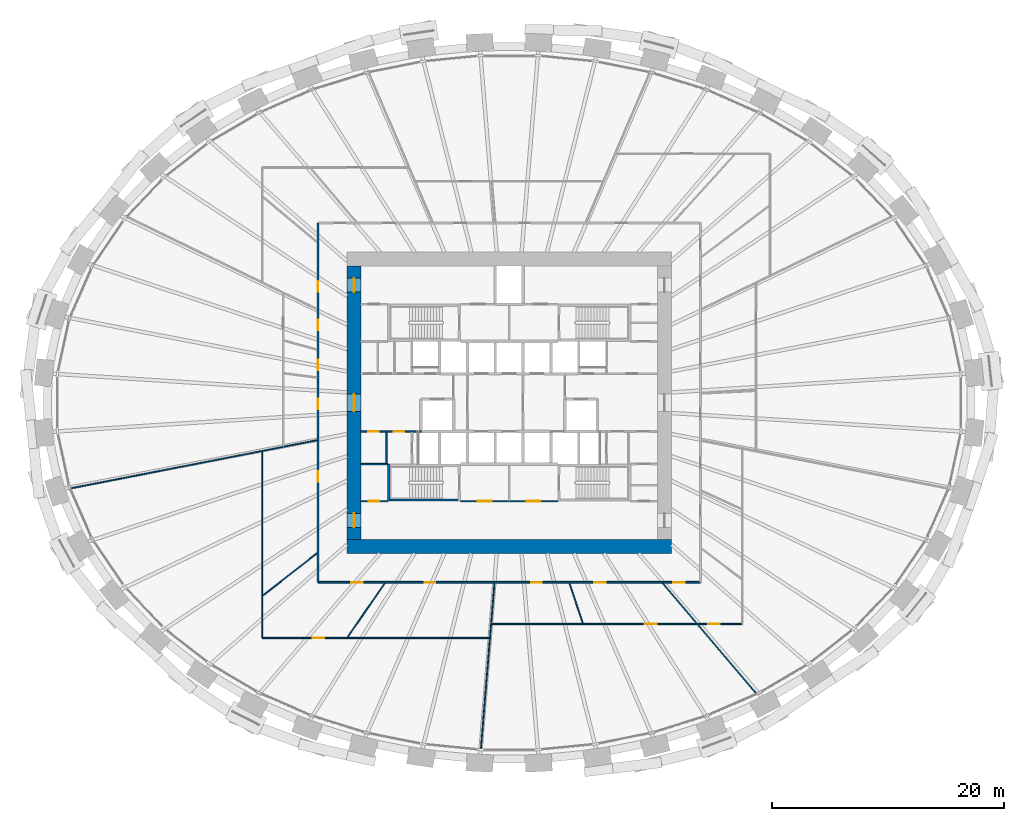
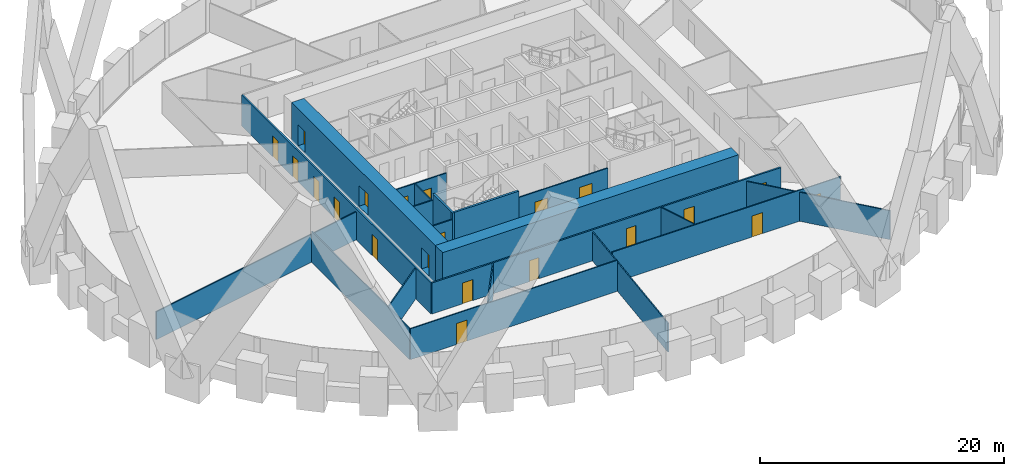
# One storey, part 7 of 13: 21 doors, 20 walls, 21 openings.
"""IFC4 building model written with IfcOpenShell, lengths in metres."""

from ifc_helpers import new_model, si_unit, direction, frame, frame_2d, origin, place, context, subcontext, project, spatial, rectangle, extrude, source, transform, mapped, material, layer, layer_set, type_object, element, fill, save


model = new_model("IFC4")

# Units and contexts
model_context = context("Model", 3, precision=1e-05, world=origin(), true_north=direction((0.0, 1.0)))
body_context = subcontext(model_context, "Body", "Model", "MODEL_VIEW")
ifc_project = project(units=[si_unit("LENGTHUNIT", "METRE"), si_unit("AREAUNIT", "SQUARE_METRE"), si_unit("VOLUMEUNIT", "CUBIC_METRE"), si_unit("PLANEANGLEUNIT", "RADIAN"), si_unit("MASSUNIT", "GRAM", prefix="KILO")], contexts=[model_context])

# Site, building, storey
site_placement = place(None, origin())
site = spatial("IfcSite", under=ifc_project, at=site_placement, CompositionType="ELEMENT")
building_placement = place(site_placement, origin())
building = spatial("IfcBuilding", under=site, at=building_placement, Name="Embergate Tower", CompositionType="ELEMENT")
storey_placement = place(building_placement, frame((0.0, 0.0, 105.5)))
storey = spatial("IfcBuildingStorey", under=building, at=storey_placement, Name="L22", CompositionType="ELEMENT", Elevation=105.5)

# Wall
ifc_material_1 = material(Name="Concrete C80", Category="concrete")
ifc_layer_1 = layer(ifc_material_1, 1.199951171875)
ifc_layer_set_1 = layer_set([ifc_layer_1], Name="Concrete C80")
wall_type_1 = type_object("IfcWallType", Name="Core outer wall C80 1200", PredefinedType="SHEAR", material=ifc_layer_set_1)
shared_shape_1 = source(origin(), body_context, "Body", "SweptSolid", [
    extrude(rectangle(XDim=28.0, YDim=1.199951171875, at=frame_2d((14.0, 0.0))), origin(), (0.0, 0.0, 1.0), 3.89990234375),
])
wall_1_placement = place(storey_placement, frame((-14.0, -12.39990234375, -0.199951171875), z_axis=(0.0, 0.0, 1.0), x_axis=(1.0, 0.0, 0.0)))
element("IfcWall", 1, at=wall_1_placement, inside=storey, type_object=wall_type_1, Name="CW-L22-S", PredefinedType="SHEAR", context=body_context, shape_type="MappedRepresentation", body=[
    mapped(shared_shape_1, transform((0.0, 0.0, 0.0))),
])

# Wall, openings, doors
shared_shape_2 = source(origin(), body_context, "Body", "SweptSolid", [
    extrude(rectangle(XDim=23.60009765625, YDim=1.199951171875, at=frame_2d((11.800048828125, 0.0))), origin(), (0.0, 0.0, 1.0), 3.89990234375),
])
wall_2_placement = place(storey_placement, frame((-13.39990234375, -11.800048828125, -0.199951171875), z_axis=(0.0, 0.0, 1.0), x_axis=(0.0, 1.0, 0.0)))
wall_2 = element("IfcWall", 2, at=wall_2_placement, inside=storey, type_object=wall_type_1, Name="CW-L22-W", PredefinedType="SHEAR", context=body_context, shape_type="MappedRepresentation", body=[
    mapped(shared_shape_2, transform((0.0, 0.0, 0.0))),
])
shared_shape_3 = source(origin(), body_context, "Body", "SweptSolid", [
    extrude(rectangle(XDim=1.199951171875, YDim=2.10009765625, at=frame_2d((0.60009765625, 1.050048828125))), frame((0.0, 0.60986328125, 0.0), z_axis=(0.0, -1.0, 0.0), x_axis=(1.0, 0.0, 0.0)), (0.0, 0.0, 1.0), 1.219970703125),
])
opening_1_placement = place(wall_2_placement, frame((21.35009765625, 0.0, 0.199951171875)))
opening_1 = element("IfcOpeningElement", 3, at=opening_1_placement, cuts=wall_2, Name="Opening IF-1", PredefinedType="OPENING", context=body_context, shape_type="MappedRepresentation", body=[
    mapped(shared_shape_3, transform((0.0, 0.0, 0.0))),
])
opening_2_placement = place(wall_2_placement, frame((1.050048828125, 0.0, 0.199951171875)))
opening_2 = element("IfcOpeningElement", 4, at=opening_2_placement, cuts=wall_2, Name="Opening IF-1", PredefinedType="OPENING", context=body_context, shape_type="MappedRepresentation", body=[
    mapped(shared_shape_3, transform((0.0, 0.0, 0.0))),
])
shared_shape_4 = source(origin(), body_context, "Body", "SweptSolid", [
    extrude(rectangle(XDim=1.5, YDim=2.10009765625, at=frame_2d((0.75, 1.050048828125))), frame((0.0, 0.60986328125, 0.0), z_axis=(0.0, -1.0, 0.0), x_axis=(1.0, 0.0, 0.0)), (0.0, 0.0, 1.0), 1.219970703125),
])
opening_3_placement = place(wall_2_placement, frame((11.050048828125, 0.0, 0.199951171875)))
opening_3 = element("IfcOpeningElement", 5, at=opening_3_placement, cuts=wall_2, Name="Opening IF-3", PredefinedType="OPENING", context=body_context, shape_type="MappedRepresentation", body=[
    mapped(shared_shape_4, transform((0.0, 0.0, 0.0))),
])
ifc_material_2 = material(Name="Escape fire door 1200")
door_type_1 = type_object("IfcDoorType", Name="Escape fire door 1200", OperationType="SINGLE_SWING_LEFT", PredefinedType="DOOR", material=ifc_material_2)
shared_shape_5 = source(origin(), body_context, "Body", "SweptSolid", [
    extrude(rectangle(XDim=1.199951171875, YDim=2.10009765625, at=frame_2d((0.60009765625, 1.050048828125))), frame((0.0, 0.02490234375, 0.0), z_axis=(0.0, -1.0, 0.0), x_axis=(1.0, 0.0, 0.0)), (0.0, 0.0, 1.0), 0.050048828125),
])
door_1_placement = place(opening_1_placement, origin())
door_1 = element("IfcDoor", 6, at=door_1_placement, inside=storey, type_object=door_type_1, Name="IF-1 door", OperationType="SINGLE_SWING_LEFT", OverallHeight=2.10009765625, OverallWidth=1.199951171875, PredefinedType="DOOR", context=body_context, shape_type="MappedRepresentation", body=[
    mapped(shared_shape_5, transform((0.0, 0.0, 0.0))),
])
fill(opening_1, door_1)
door_2_placement = place(opening_2_placement, origin())
door_2 = element("IfcDoor", 7, at=door_2_placement, inside=storey, type_object=door_type_1, Name="IF-1 door", OperationType="SINGLE_SWING_LEFT", OverallHeight=2.10009765625, OverallWidth=1.199951171875, PredefinedType="DOOR", context=body_context, shape_type="MappedRepresentation", body=[
    mapped(shared_shape_5, transform((0.0, 0.0, 0.0))),
])
fill(opening_2, door_2)
ifc_material_3 = material(Name="Lobby fire door pair 1500")
door_type_2 = type_object("IfcDoorType", Name="Lobby fire door pair 1500", OperationType="DOUBLE_DOOR_SINGLE_SWING", PredefinedType="DOOR", material=ifc_material_3)
shared_shape_6 = source(origin(), body_context, "Body", "SweptSolid", [
    extrude(rectangle(XDim=1.5, YDim=2.10009765625, at=frame_2d((0.75, 1.050048828125))), frame((0.0, 0.02490234375, 0.0), z_axis=(0.0, -1.0, 0.0), x_axis=(1.0, 0.0, 0.0)), (0.0, 0.0, 1.0), 0.050048828125),
])
door_3_placement = place(opening_3_placement, origin())
door_3 = element("IfcDoor", 8, at=door_3_placement, inside=storey, type_object=door_type_2, Name="IF-3 door", OperationType="DOUBLE_DOOR_SINGLE_SWING", OverallHeight=2.10009765625, OverallWidth=1.5, PredefinedType="DOOR", context=body_context, shape_type="MappedRepresentation", body=[
    mapped(shared_shape_6, transform((0.0, 0.0, 0.0))),
])
fill(opening_3, door_3)

# Wall
ifc_material_4 = material(Name="Concrete C50", Category="concrete")
ifc_layer_2 = layer(ifc_material_4, 0.199951171875)
ifc_layer_set_2 = layer_set([ifc_layer_2], Name="Concrete C50")
wall_type_2 = type_object("IfcWallType", Name="Stair enclosure wall reinforced concrete 250", PredefinedType="SHEAR", material=ifc_layer_set_2)
shared_shape_7 = source(origin(), body_context, "Body", "SweptSolid", [
    extrude(rectangle(XDim=6.300048828125, YDim=0.199951171875, at=frame_2d((3.14990234375, 0.0))), origin(), (0.0, 0.0, 1.0), 3.699951171875),
])
wall_3_placement = place(storey_placement, frame((-10.5, -8.39990234375, 0.0), z_axis=(0.0, 0.0, 1.0), x_axis=(1.0, 0.0, 0.0)))
element("IfcWall", 9, at=wall_3_placement, inside=storey, type_object=wall_type_2, Name="SE-1 wall", PredefinedType="SHEAR", context=body_context, shape_type="MappedRepresentation", body=[
    mapped(shared_shape_7, transform((0.0, 0.0, 0.0))),
])

# Wall, openings, doors
ifc_material_5 = material(Name="Core partition blockwork 120")
ifc_layer_3 = layer(ifc_material_5, 0.1201171875)
ifc_layer_set_3 = layer_set([ifc_layer_3], Name="Core partition blockwork 120")
wall_type_3 = type_object("IfcWallType", Name="Core partition blockwork 120", PredefinedType="PARTITIONING", material=ifc_layer_set_3)
shared_shape_8 = source(origin(), body_context, "Body", "SweptSolid", [
    extrude(rectangle(XDim=5.199951171875, YDim=0.1201171875, at=frame_2d((2.60009765625, 0.0))), origin(), (0.0, 0.0, 1.0), 3.10009765625),
])
wall_4_placement = place(storey_placement, frame((-7.60009765625, -2.5, 0.0), z_axis=(0.0, 0.0, 1.0), x_axis=(-1.0, 0.0, 0.0)))
wall_4 = element("IfcWall", 10, at=wall_4_placement, inside=storey, type_object=wall_type_3, Name="IP-3 wall", PredefinedType="PARTITIONING", context=body_context, shape_type="MappedRepresentation", body=[
    mapped(shared_shape_8, transform((0.0, 0.0, 0.0))),
])
shared_shape_9 = source(origin(), body_context, "Body", "SweptSolid", [
    extrude(rectangle(XDim=0.89990234375, YDim=2.10009765625, at=frame_2d((0.449951171875, 1.050048828125))), frame((0.0, 0.070068359375, 0.0), z_axis=(0.0, -1.0, 0.0), x_axis=(1.0, 0.0, 0.0)), (0.0, 0.0, 1.0), 0.14013671875),
])
opening_4_placement = place(wall_4_placement, frame((3.64990234375, 0.0, 0.0)))
opening_4 = element("IfcOpeningElement", 11, at=opening_4_placement, cuts=wall_4, Name="Opening ID-1", PredefinedType="OPENING", context=body_context, shape_type="MappedRepresentation", body=[
    mapped(shared_shape_9, transform((0.0, 0.0, 0.0))),
])
opening_5_placement = place(wall_4_placement, frame((1.449951171875, 0.0, 0.0)))
opening_5 = element("IfcOpeningElement", 12, at=opening_5_placement, cuts=wall_4, Name="Opening ID-1", PredefinedType="OPENING", context=body_context, shape_type="MappedRepresentation", body=[
    mapped(shared_shape_9, transform((0.0, 0.0, 0.0))),
])
ifc_material_6 = material(Name="Interior door 900")
door_type_3 = type_object("IfcDoorType", Name="Interior door 900", OperationType="SINGLE_SWING_LEFT", PredefinedType="DOOR", material=ifc_material_6)
shared_shape_10 = source(origin(), body_context, "Body", "SweptSolid", [
    extrude(rectangle(XDim=0.89990234375, YDim=2.10009765625, at=frame_2d((0.449951171875, 1.050048828125))), frame((0.0, 0.02490234375, 0.0), z_axis=(0.0, -1.0, 0.0), x_axis=(1.0, 0.0, 0.0)), (0.0, 0.0, 1.0), 0.050048828125),
])
door_4_placement = place(opening_4_placement, origin())
door_4 = element("IfcDoor", 13, at=door_4_placement, inside=storey, type_object=door_type_3, Name="ID-1 door", OperationType="SINGLE_SWING_LEFT", OverallHeight=2.10009765625, OverallWidth=0.89990234375, PredefinedType="DOOR", context=body_context, shape_type="MappedRepresentation", body=[
    mapped(shared_shape_10, transform((0.0, 0.0, 0.0))),
])
fill(opening_4, door_4)
door_5_placement = place(opening_5_placement, origin())
door_5 = element("IfcDoor", 14, at=door_5_placement, inside=storey, type_object=door_type_3, Name="ID-1 door", OperationType="SINGLE_SWING_LEFT", OverallHeight=2.10009765625, OverallWidth=0.89990234375, PredefinedType="DOOR", context=body_context, shape_type="MappedRepresentation", body=[
    mapped(shared_shape_10, transform((0.0, 0.0, 0.0))),
])
fill(opening_5, door_5)

# Wall
shared_shape_11 = source(origin(), body_context, "Body", "SweptSolid", [
    extrude(rectangle(XDim=3.199951171875, YDim=0.199951171875, at=frame_2d((1.60009765625, 0.0))), origin(), (0.0, 0.0, 1.0), 3.699951171875),
])
wall_5_placement = place(storey_placement, frame((-10.39990234375, -5.300048828125, 0.0), z_axis=(0.0, 0.0, 1.0), x_axis=(0.0, -1.0, 0.0)))
element("IfcWall", 15, at=wall_5_placement, inside=storey, type_object=wall_type_2, Name="SE-1 wall", PredefinedType="SHEAR", context=body_context, shape_type="MappedRepresentation", body=[
    mapped(shared_shape_11, transform((0.0, 0.0, 0.0))),
])

# Wall, openings, doors
shared_shape_12 = source(origin(), body_context, "Body", "SweptSolid", [
    extrude(rectangle(XDim=8.39990234375, YDim=0.1201171875, at=frame_2d((4.199951171875, 0.0))), origin(), (0.0, 0.0, 1.0), 3.10009765625),
])
wall_6_placement = place(storey_placement, frame((-4.199951171875, -8.5, 0.0), z_axis=(0.0, 0.0, 1.0), x_axis=(1.0, 0.0, 0.0)))
wall_6 = element("IfcWall", 16, at=wall_6_placement, inside=storey, type_object=wall_type_3, Name="IP-3 wall", PredefinedType="PARTITIONING", context=body_context, shape_type="MappedRepresentation", body=[
    mapped(shared_shape_12, transform((0.0, 0.0, 0.0))),
])
shared_shape_13 = source(origin(), body_context, "Body", "SweptSolid", [
    extrude(rectangle(XDim=1.199951171875, YDim=2.10009765625, at=frame_2d((0.60009765625, 1.050048828125))), frame((0.0, 0.070068359375, 0.0), z_axis=(0.0, -1.0, 0.0), x_axis=(1.0, 0.0, 0.0)), (0.0, 0.0, 1.0), 0.14013671875),
])
opening_6_placement = place(wall_6_placement, frame((1.5, 0.0, 0.0)))
opening_6 = element("IfcOpeningElement", 17, at=opening_6_placement, cuts=wall_6, Name="Opening IF-3f", PredefinedType="OPENING", context=body_context, shape_type="MappedRepresentation", body=[
    mapped(shared_shape_13, transform((0.0, 0.0, 0.0))),
])
opening_7_placement = place(wall_6_placement, frame((5.699951171875, 0.0, 0.0)))
opening_7 = element("IfcOpeningElement", 18, at=opening_7_placement, cuts=wall_6, Name="Opening IF-3f", PredefinedType="OPENING", context=body_context, shape_type="MappedRepresentation", body=[
    mapped(shared_shape_13, transform((0.0, 0.0, 0.0))),
])
ifc_material_7 = material(Name="Lobby fire door pair 1200")
door_type_4 = type_object("IfcDoorType", Name="Lobby fire door pair 1200", OperationType="DOUBLE_DOOR_SINGLE_SWING", PredefinedType="DOOR", material=ifc_material_7)
door_6_placement = place(opening_6_placement, origin())
door_6 = element("IfcDoor", 19, at=door_6_placement, inside=storey, type_object=door_type_4, Name="IF-3 door", OperationType="DOUBLE_DOOR_SINGLE_SWING", OverallHeight=2.10009765625, OverallWidth=1.199951171875, PredefinedType="DOOR", context=body_context, shape_type="MappedRepresentation", body=[
    mapped(shared_shape_5, transform((0.0, 0.0, 0.0))),
])
fill(opening_6, door_6)
door_7_placement = place(opening_7_placement, origin())
door_7 = element("IfcDoor", 20, at=door_7_placement, inside=storey, type_object=door_type_4, Name="IF-3 door", OperationType="DOUBLE_DOOR_SINGLE_SWING", OverallHeight=2.10009765625, OverallWidth=1.199951171875, PredefinedType="DOOR", context=body_context, shape_type="MappedRepresentation", body=[
    mapped(shared_shape_5, transform((0.0, 0.0, 0.0))),
])
fill(opening_7, door_7)

# Wall, opening, door
shared_shape_14 = source(origin(), body_context, "Body", "SweptSolid", [
    extrude(rectangle(XDim=2.300048828125, YDim=0.1201171875, at=frame_2d((1.14990234375, 0.0))), origin(), (0.0, 0.0, 1.0), 3.10009765625),
])
wall_7_placement = place(storey_placement, frame((-10.5, -8.5, 0.0), z_axis=(0.0, 0.0, 1.0), x_axis=(-1.0, 0.0, 0.0)))
wall_7 = element("IfcWall", 21, at=wall_7_placement, inside=storey, type_object=wall_type_3, Name="IP-3 wall", PredefinedType="PARTITIONING", context=body_context, shape_type="MappedRepresentation", body=[
    mapped(shared_shape_14, transform((0.0, 0.0, 0.0))),
])
opening_8_placement = place(wall_7_placement, frame((0.699951171875, 0.0, 0.0)))
opening_8 = element("IfcOpeningElement", 22, at=opening_8_placement, cuts=wall_7, Name="Opening ID-1", PredefinedType="OPENING", context=body_context, shape_type="MappedRepresentation", body=[
    mapped(shared_shape_9, transform((0.0, 0.0, 0.0))),
])
door_8_placement = place(opening_8_placement, origin())
door_8 = element("IfcDoor", 23, at=door_8_placement, inside=storey, type_object=door_type_3, Name="ID-1 door", OperationType="SINGLE_SWING_RIGHT", OverallHeight=2.10009765625, OverallWidth=0.89990234375, PredefinedType="DOOR", context=body_context, shape_type="MappedRepresentation", body=[
    mapped(shared_shape_10, transform((0.0, 0.0, 0.0))),
])
fill(opening_8, door_8)

# Walls
wall_8_placement = place(storey_placement, frame((-12.800048828125, -5.300048828125, 0.0), z_axis=(0.0, 0.0, 1.0), x_axis=(1.0, 0.0, 0.0)))
element("IfcWall", 24, at=wall_8_placement, inside=storey, type_object=wall_type_3, Name="IP-3 wall", PredefinedType="PARTITIONING", context=body_context, shape_type="MappedRepresentation", body=[
    mapped(shared_shape_14, transform((0.0, 0.0, 0.0))),
])
shared_shape_15 = source(origin(), body_context, "Body", "SweptSolid", [
    extrude(rectangle(XDim=2.679931640625, YDim=0.1201171875, at=frame_2d((1.33984375, 0.0))), origin(), (0.0, 0.0, 1.0), 3.10009765625),
])
wall_9_placement = place(storey_placement, frame((-10.60009765625, -5.239990234375, 0.0), z_axis=(0.0, 0.0, 1.0), x_axis=(0.0, 1.0, 0.0)))
element("IfcWall", 25, at=wall_9_placement, inside=storey, type_object=wall_type_3, Name="IP-3 wall", PredefinedType="PARTITIONING", context=body_context, shape_type="MappedRepresentation", body=[
    mapped(shared_shape_15, transform((0.0, 0.0, 0.0))),
])

# Wall, openings, doors
ifc_material_8 = material(Name="Corridor wall dry-lined 150")
ifc_layer_4 = layer(ifc_material_8, 0.14990234375)
ifc_layer_set_4 = layer_set([ifc_layer_4], Name="Corridor wall dry-lined 150")
wall_type_4 = type_object("IfcWallType", Name="Corridor wall dry-lined 150", PredefinedType="PARTITIONING", material=ifc_layer_set_4)
shared_shape_16 = source(origin(), body_context, "Body", "SweptSolid", [
    extrude(rectangle(XDim=31.0, YDim=0.14990234375, at=frame_2d((15.5, 0.0))), origin(), (0.0, 0.0, 1.0), 3.10009765625),
])
wall_10_placement = place(storey_placement, frame((-16.5, -15.5, 0.0), z_axis=(0.0, 0.0, 1.0), x_axis=(0.0, 1.0, 0.0)))
wall_10 = element("IfcWall", 26, at=wall_10_placement, inside=storey, type_object=wall_type_4, Name="IP-2 wall", PredefinedType="PARTITIONING", context=body_context, shape_type="MappedRepresentation", body=[
    mapped(shared_shape_16, transform((0.0, 0.0, 0.0))),
])
shared_shape_17 = source(origin(), body_context, "Body", "SweptSolid", [
    extrude(rectangle(XDim=0.89990234375, YDim=2.10009765625, at=frame_2d((0.449951171875, 1.050048828125))), frame((0.0, 0.0849609375, 0.0), z_axis=(0.0, -1.0, 0.0), x_axis=(1.0, 0.0, 0.0)), (0.0, 0.0, 1.0), 0.169921875),
])
opening_9_placement = place(wall_10_placement, frame((8.699951171875, 0.0, 0.0)))
opening_9 = element("IfcOpeningElement", 27, at=opening_9_placement, cuts=wall_10, Name="Opening IF-1c", PredefinedType="OPENING", context=body_context, shape_type="MappedRepresentation", body=[
    mapped(shared_shape_17, transform((0.0, 0.0, 0.0))),
])
opening_10_placement = place(wall_10_placement, frame((25.068115234375, 0.0, 0.0)))
opening_10 = element("IfcOpeningElement", 28, at=opening_10_placement, cuts=wall_10, Name="Opening IF-1c", PredefinedType="OPENING", context=body_context, shape_type="MappedRepresentation", body=[
    mapped(shared_shape_17, transform((0.0, 0.0, 0.0))),
])
opening_11_placement = place(wall_10_placement, frame((21.759033203125, 0.0, 0.0)))
opening_11 = element("IfcOpeningElement", 29, at=opening_11_placement, cuts=wall_10, Name="Opening IF-1c", PredefinedType="OPENING", context=body_context, shape_type="MappedRepresentation", body=[
    mapped(shared_shape_17, transform((0.0, 0.0, 0.0))),
])
opening_12_placement = place(wall_10_placement, frame((18.30908203125, 0.0, 0.0)))
opening_12 = element("IfcOpeningElement", 30, at=opening_12_placement, cuts=wall_10, Name="Opening IF-1c", PredefinedType="OPENING", context=body_context, shape_type="MappedRepresentation", body=[
    mapped(shared_shape_17, transform((0.0, 0.0, 0.0))),
])
opening_13_placement = place(wall_10_placement, frame((14.944091796875, 0.0, 0.0)))
opening_13 = element("IfcOpeningElement", 31, at=opening_13_placement, cuts=wall_10, Name="Opening IF-1c", PredefinedType="OPENING", context=body_context, shape_type="MappedRepresentation", body=[
    mapped(shared_shape_17, transform((0.0, 0.0, 0.0))),
])
ifc_material_9 = material(Name="Escape fire door 900")
door_type_5 = type_object("IfcDoorType", Name="Escape fire door 900", OperationType="SINGLE_SWING_LEFT", PredefinedType="DOOR", material=ifc_material_9)
door_9_placement = place(opening_9_placement, origin())
door_9 = element("IfcDoor", 32, at=door_9_placement, inside=storey, type_object=door_type_5, Name="IF-1 door", OperationType="SINGLE_SWING_RIGHT", OverallHeight=2.10009765625, OverallWidth=0.89990234375, PredefinedType="DOOR", context=body_context, shape_type="MappedRepresentation", body=[
    mapped(shared_shape_10, transform((0.0, 0.0, 0.0))),
])
fill(opening_9, door_9)
door_10_placement = place(opening_10_placement, origin())
door_10 = element("IfcDoor", 33, at=door_10_placement, inside=storey, type_object=door_type_5, Name="IF-1 door", OperationType="SINGLE_SWING_RIGHT", OverallHeight=2.10009765625, OverallWidth=0.89990234375, PredefinedType="DOOR", context=body_context, shape_type="MappedRepresentation", body=[
    mapped(shared_shape_10, transform((0.0, 0.0, 0.0))),
])
fill(opening_10, door_10)
door_11_placement = place(opening_11_placement, origin())
door_11 = element("IfcDoor", 34, at=door_11_placement, inside=storey, type_object=door_type_5, Name="IF-1 door", OperationType="SINGLE_SWING_LEFT", OverallHeight=2.10009765625, OverallWidth=0.89990234375, PredefinedType="DOOR", context=body_context, shape_type="MappedRepresentation", body=[
    mapped(shared_shape_10, transform((0.0, 0.0, 0.0))),
])
fill(opening_11, door_11)
door_12_placement = place(opening_12_placement, origin())
door_12 = element("IfcDoor", 35, at=door_12_placement, inside=storey, type_object=door_type_5, Name="IF-1 door", OperationType="SINGLE_SWING_LEFT", OverallHeight=2.10009765625, OverallWidth=0.89990234375, PredefinedType="DOOR", context=body_context, shape_type="MappedRepresentation", body=[
    mapped(shared_shape_10, transform((0.0, 0.0, 0.0))),
])
fill(opening_12, door_12)
door_13_placement = place(opening_13_placement, origin())
door_13 = element("IfcDoor", 36, at=door_13_placement, inside=storey, type_object=door_type_5, Name="IF-1 door", OperationType="SINGLE_SWING_LEFT", OverallHeight=2.10009765625, OverallWidth=0.89990234375, PredefinedType="DOOR", context=body_context, shape_type="MappedRepresentation", body=[
    mapped(shared_shape_10, transform((0.0, 0.0, 0.0))),
])
fill(opening_13, door_13)

shared_shape_18 = source(origin(), body_context, "Body", "SweptSolid", [
    extrude(rectangle(XDim=33.0, YDim=0.14990234375, at=frame_2d((16.5, 0.0))), origin(), (0.0, 0.0, 1.0), 3.10009765625),
])
wall_11_placement = place(storey_placement, frame((16.5, -15.5, 0.0), z_axis=(0.0, 0.0, 1.0), x_axis=(-1.0, 0.0, 0.0)))
wall_11 = element("IfcWall", 37, at=wall_11_placement, inside=storey, type_object=wall_type_4, Name="IP-2 wall", PredefinedType="PARTITIONING", context=body_context, shape_type="MappedRepresentation", body=[
    mapped(shared_shape_18, transform((0.0, 0.0, 0.0))),
])
shared_shape_19 = source(origin(), body_context, "Body", "SweptSolid", [
    extrude(rectangle(XDim=1.0, YDim=2.10009765625, at=frame_2d((0.5, 1.050048828125))), frame((0.0, 0.0849609375, 0.0), z_axis=(0.0, -1.0, 0.0), x_axis=(1.0, 0.0, 0.0)), (0.0, 0.0, 1.0), 0.169921875),
])
opening_14_placement = place(wall_11_placement, frame((29.1279296875, 0.0, 0.0)))
opening_14 = element("IfcOpeningElement", 38, at=opening_14_placement, cuts=wall_11, Name="Opening ID-2", PredefinedType="OPENING", context=body_context, shape_type="MappedRepresentation", body=[
    mapped(shared_shape_19, transform((0.0, 0.0, 0.0))),
])
opening_15_placement = place(wall_11_placement, frame((22.89599609375, 0.0, 0.0)))
opening_15 = element("IfcOpeningElement", 39, at=opening_15_placement, cuts=wall_11, Name="Opening IF-1c", PredefinedType="OPENING", context=body_context, shape_type="MappedRepresentation", body=[
    mapped(shared_shape_17, transform((0.0, 0.0, 0.0))),
])
opening_16_placement = place(wall_11_placement, frame((13.698974609375, 0.0, 0.0)))
opening_16 = element("IfcOpeningElement", 40, at=opening_16_placement, cuts=wall_11, Name="Opening IF-1c", PredefinedType="OPENING", context=body_context, shape_type="MappedRepresentation", body=[
    mapped(shared_shape_17, transform((0.0, 0.0, 0.0))),
])
opening_17_placement = place(wall_11_placement, frame((8.16796875, 0.0, 0.0)))
opening_17 = element("IfcOpeningElement", 41, at=opening_17_placement, cuts=wall_11, Name="Opening ID-2", PredefinedType="OPENING", context=body_context, shape_type="MappedRepresentation", body=[
    mapped(shared_shape_19, transform((0.0, 0.0, 0.0))),
])
opening_18_placement = place(wall_11_placement, frame((1.35498046875, 0.0, 0.0)))
opening_18 = element("IfcOpeningElement", 42, at=opening_18_placement, cuts=wall_11, Name="Opening ID-2", PredefinedType="OPENING", context=body_context, shape_type="MappedRepresentation", body=[
    mapped(shared_shape_19, transform((0.0, 0.0, 0.0))),
])
door_14_placement = place(opening_15_placement, origin())
door_14 = element("IfcDoor", 43, at=door_14_placement, inside=storey, type_object=door_type_5, Name="IF-1 door", OperationType="SINGLE_SWING_RIGHT", OverallHeight=2.10009765625, OverallWidth=0.89990234375, PredefinedType="DOOR", context=body_context, shape_type="MappedRepresentation", body=[
    mapped(shared_shape_10, transform((0.0, 0.0, 0.0))),
])
fill(opening_15, door_14)
door_15_placement = place(opening_16_placement, origin())
door_15 = element("IfcDoor", 44, at=door_15_placement, inside=storey, type_object=door_type_5, Name="IF-1 door", OperationType="SINGLE_SWING_LEFT", OverallHeight=2.10009765625, OverallWidth=0.89990234375, PredefinedType="DOOR", context=body_context, shape_type="MappedRepresentation", body=[
    mapped(shared_shape_10, transform((0.0, 0.0, 0.0))),
])
fill(opening_16, door_15)
ifc_material_10 = material(Name="Interior door 1000")
door_type_6 = type_object("IfcDoorType", Name="Interior door 1000", OperationType="SINGLE_SWING_LEFT", PredefinedType="DOOR", material=ifc_material_10)
shared_shape_20 = source(origin(), body_context, "Body", "SweptSolid", [
    extrude(rectangle(XDim=1.0, YDim=2.10009765625, at=frame_2d((0.5, 1.050048828125))), frame((0.0, 0.02490234375, 0.0), z_axis=(0.0, -1.0, 0.0), x_axis=(1.0, 0.0, 0.0)), (0.0, 0.0, 1.0), 0.050048828125),
])
door_16_placement = place(opening_14_placement, origin())
door_16 = element("IfcDoor", 45, at=door_16_placement, inside=storey, type_object=door_type_6, Name="ID-2 door", OperationType="SINGLE_SWING_RIGHT", OverallHeight=2.10009765625, OverallWidth=1.0, PredefinedType="DOOR", context=body_context, shape_type="MappedRepresentation", body=[
    mapped(shared_shape_20, transform((0.0, 0.0, 0.0))),
])
fill(opening_14, door_16)
door_17_placement = place(opening_17_placement, origin())
door_17 = element("IfcDoor", 46, at=door_17_placement, inside=storey, type_object=door_type_6, Name="ID-2 door", OperationType="SINGLE_SWING_LEFT", OverallHeight=2.10009765625, OverallWidth=1.0, PredefinedType="DOOR", context=body_context, shape_type="MappedRepresentation", body=[
    mapped(shared_shape_20, transform((0.0, 0.0, 0.0))),
])
fill(opening_17, door_17)
door_18_placement = place(opening_18_placement, origin())
door_18 = element("IfcDoor", 47, at=door_18_placement, inside=storey, type_object=door_type_6, Name="ID-2 door", OperationType="SINGLE_SWING_LEFT", OverallHeight=2.10009765625, OverallWidth=1.0, PredefinedType="DOOR", context=body_context, shape_type="MappedRepresentation", body=[
    mapped(shared_shape_20, transform((0.0, 0.0, 0.0))),
])
fill(opening_18, door_18)

# Walls
ifc_material_11 = material(Name="Partition dry-lined 100")
ifc_layer_5 = layer(ifc_material_11, 0.10009765625)
ifc_layer_set_5 = layer_set([ifc_layer_5], Name="Partition dry-lined 100")
wall_type_5 = type_object("IfcWallType", Name="Partition dry-lined 100", PredefinedType="PARTITIONING", material=ifc_layer_set_5)
shared_shape_21 = source(origin(), body_context, "Body", "SweptSolid", [
    extrude(rectangle(XDim=5.859619140625, YDim=0.10009765625, at=frame_2d((2.9296875, 0.0))), origin(), (0.0, 0.0, 1.0), 3.10009765625),
])
wall_12_placement = place(storey_placement, frame((-16.60595703125, -13.001953125, 0.0), z_axis=(0.0, 0.0, 1.0), x_axis=(-0.787270190611, -0.616608179458, 0.0)))
element("IfcWall", 48, at=wall_12_placement, inside=storey, type_object=wall_type_5, Name="IP-1 wall", PredefinedType="PARTITIONING", context=body_context, shape_type="MappedRepresentation", body=[
    mapped(shared_shape_21, transform((0.0, 0.0, 0.0))),
])
shared_shape_22 = source(origin(), body_context, "Body", "SweptSolid", [
    extrude(rectangle(XDim=21.7158203125, YDim=0.10009765625, at=frame_2d((10.85791015625, 0.0))), origin(), (0.0, 0.0, 1.0), 2.800048828125),
])
wall_13_placement = place(storey_placement, frame((-37.89794921875, -7.403076171875, 0.0), z_axis=(0.0, 0.0, 1.0), x_axis=(0.981452018893, 0.191707940917, 0.0)))
element("IfcWall", 49, at=wall_13_placement, inside=storey, type_object=wall_type_5, Name="IP-1 wall", PredefinedType="PARTITIONING", context=body_context, shape_type="MappedRepresentation", body=[
    mapped(shared_shape_22, transform((0.0, 0.0, 0.0))),
])
shared_shape_23 = source(origin(), body_context, "Body", "SweptSolid", [
    extrude(rectangle(XDim=16.0791015625, YDim=0.10009765625, at=frame_2d((8.03955078125, 0.0))), origin(), (0.0, 0.0, 1.0), 3.10009765625),
])
wall_14_placement = place(storey_placement, frame((-21.300048828125, -4.220947265625, 0.0), z_axis=(0.0, 0.0, 1.0), x_axis=(0.0, -1.0, 0.0)))
element("IfcWall", 50, at=wall_14_placement, inside=storey, type_object=wall_type_5, Name="IP-1 wall", PredefinedType="PARTITIONING", context=body_context, shape_type="MappedRepresentation", body=[
    mapped(shared_shape_23, transform((0.0, 0.0, 0.0))),
])
shared_shape_24 = source(origin(), body_context, "Body", "SweptSolid", [
    extrude(rectangle(XDim=5.609375, YDim=0.10009765625, at=frame_2d((2.8046875, 0.0))), origin(), (0.0, 0.0, 1.0), 3.10009765625),
])
wall_15_placement = place(storey_placement, frame((-10.7548828125, -15.60302734375, 0.0), z_axis=(0.0, 0.0, 1.0), x_axis=(-0.567450181978, -0.823407730698, 0.0)))
element("IfcWall", 51, at=wall_15_placement, inside=storey, type_object=wall_type_5, Name="IP-1 wall", PredefinedType="PARTITIONING", context=body_context, shape_type="MappedRepresentation", body=[
    mapped(shared_shape_24, transform((0.0, 0.0, 0.0))),
])

# Wall, opening, door
shared_shape_25 = source(origin(), body_context, "Body", "SweptSolid", [
    extrude(rectangle(XDim=19.590087890625, YDim=0.10009765625, at=frame_2d((9.794921875, 0.0))), origin(), (0.0, 0.0, 1.0), 3.10009765625),
])
wall_16_placement = place(storey_placement, frame((-1.7099609375, -20.300048828125, 0.0), z_axis=(0.0, 0.0, 1.0), x_axis=(-1.0, 0.0, 0.0)))
wall_16 = element("IfcWall", 52, at=wall_16_placement, inside=storey, type_object=wall_type_5, Name="IP-1 wall", PredefinedType="PARTITIONING", context=body_context, shape_type="MappedRepresentation", body=[
    mapped(shared_shape_25, transform((0.0, 0.0, 0.0))),
])
shared_shape_26 = source(origin(), body_context, "Body", "SweptSolid", [
    extrude(rectangle(XDim=1.0, YDim=2.10009765625, at=frame_2d((0.5, 1.050048828125))), frame((0.0, 0.06005859375, 0.0), z_axis=(0.0, -1.0, 0.0), x_axis=(1.0, 0.0, 0.0)), (0.0, 0.0, 1.0), 0.1201171875),
])
opening_19_placement = place(wall_16_placement, frame((14.23681640625, 0.0, 0.0)))
opening_19 = element("IfcOpeningElement", 53, at=opening_19_placement, cuts=wall_16, Name="Opening ID-2", PredefinedType="OPENING", context=body_context, shape_type="MappedRepresentation", body=[
    mapped(shared_shape_26, transform((0.0, 0.0, 0.0))),
])
door_19_placement = place(opening_19_placement, origin())
door_19 = element("IfcDoor", 54, at=door_19_placement, inside=storey, type_object=door_type_6, Name="ID-2 door", OperationType="SINGLE_SWING_RIGHT", OverallHeight=2.10009765625, OverallWidth=1.0, PredefinedType="DOOR", context=body_context, shape_type="MappedRepresentation", body=[
    mapped(shared_shape_20, transform((0.0, 0.0, 0.0))),
])
fill(opening_19, door_19)

# Walls
shared_shape_27 = source(origin(), body_context, "Body", "SweptSolid", [
    extrude(rectangle(XDim=14.408935546875, YDim=0.10009765625, at=frame_2d((7.20458984375, 0.0))), origin(), (0.0, 0.0, 1.0), 2.89990234375),
])
wall_17_placement = place(storey_placement, frame((-2.447998046875, -29.93603515625, 0.0), z_axis=(0.0, 0.0, 1.0), x_axis=(0.081481890092, 0.99667482239, 0.0)))
element("IfcWall", 55, at=wall_17_placement, inside=storey, type_object=wall_type_5, Name="IP-1 wall", PredefinedType="PARTITIONING", context=body_context, shape_type="MappedRepresentation", body=[
    mapped(shared_shape_27, transform((0.0, 0.0, 0.0))),
])
shared_shape_28 = source(origin(), body_context, "Body", "SweptSolid", [
    extrude(rectangle(XDim=3.6298828125, YDim=0.10009765625, at=frame_2d((1.81494140625, 0.0))), origin(), (0.0, 0.0, 1.0), 3.10009765625),
])
wall_18_placement = place(storey_placement, frame((5.2080078125, -15.591064453125, 0.0), z_axis=(0.0, 0.0, 1.0), x_axis=(0.316792690533, -0.948494802951, 0.0)))
element("IfcWall", 56, at=wall_18_placement, inside=storey, type_object=wall_type_5, Name="IP-1 wall", PredefinedType="PARTITIONING", context=body_context, shape_type="MappedRepresentation", body=[
    mapped(shared_shape_28, transform((0.0, 0.0, 0.0))),
])

# Wall, openings, doors
shared_shape_29 = source(origin(), body_context, "Body", "SweptSolid", [
    extrude(rectangle(XDim=21.612060546875, YDim=0.10009765625, at=frame_2d((10.80615234375, 0.0))), origin(), (0.0, 0.0, 1.0), 3.10009765625),
])
wall_19_placement = place(storey_placement, frame((20.10009765625, -19.10009765625, 0.0), z_axis=(0.0, 0.0, 1.0), x_axis=(-1.0, 0.0, 0.0)))
wall_19 = element("IfcWall", 57, at=wall_19_placement, inside=storey, type_object=wall_type_5, Name="IP-1 wall", PredefinedType="PARTITIONING", context=body_context, shape_type="MappedRepresentation", body=[
    mapped(shared_shape_29, transform((0.0, 0.0, 0.0))),
])
opening_20_placement = place(wall_19_placement, frame((7.387939453125, 0.0, 0.0)))
opening_20 = element("IfcOpeningElement", 58, at=opening_20_placement, cuts=wall_19, Name="Opening ID-2", PredefinedType="OPENING", context=body_context, shape_type="MappedRepresentation", body=[
    mapped(shared_shape_26, transform((0.0, 0.0, 0.0))),
])
opening_21_placement = place(wall_19_placement, frame((1.912109375, 0.0, 0.0)))
opening_21 = element("IfcOpeningElement", 59, at=opening_21_placement, cuts=wall_19, Name="Opening ID-2", PredefinedType="OPENING", context=body_context, shape_type="MappedRepresentation", body=[
    mapped(shared_shape_26, transform((0.0, 0.0, 0.0))),
])
door_20_placement = place(opening_20_placement, origin())
door_20 = element("IfcDoor", 60, at=door_20_placement, inside=storey, type_object=door_type_6, Name="ID-2 door", OperationType="SINGLE_SWING_LEFT", OverallHeight=2.10009765625, OverallWidth=1.0, PredefinedType="DOOR", context=body_context, shape_type="MappedRepresentation", body=[
    mapped(shared_shape_20, transform((0.0, 0.0, 0.0))),
])
fill(opening_20, door_20)
door_21_placement = place(opening_21_placement, origin())
door_21 = element("IfcDoor", 61, at=door_21_placement, inside=storey, type_object=door_type_6, Name="ID-2 door", OperationType="SINGLE_SWING_LEFT", OverallHeight=2.10009765625, OverallWidth=1.0, PredefinedType="DOOR", context=body_context, shape_type="MappedRepresentation", body=[
    mapped(shared_shape_20, transform((0.0, 0.0, 0.0))),
])
fill(opening_21, door_21)

# Wall
shared_shape_30 = source(origin(), body_context, "Body", "SweptSolid", [
    extrude(rectangle(XDim=12.4912109375, YDim=0.10009765625, at=frame_2d((6.24560546875, 0.0))), origin(), (0.0, 0.0, 1.0), 2.89990234375),
])
wall_20_placement = place(storey_placement, frame((21.35009765625, -25.1259765625, 0.0), z_axis=(0.0, 0.0, 1.0), x_axis=(-0.647506572821, 0.762059865203, 0.0)))
element("IfcWall", 62, at=wall_20_placement, inside=storey, type_object=wall_type_5, Name="IP-1 wall", PredefinedType="PARTITIONING", context=body_context, shape_type="MappedRepresentation", body=[
    mapped(shared_shape_30, transform((0.0, 0.0, 0.0))),
])

save(model, "model.ifc")
